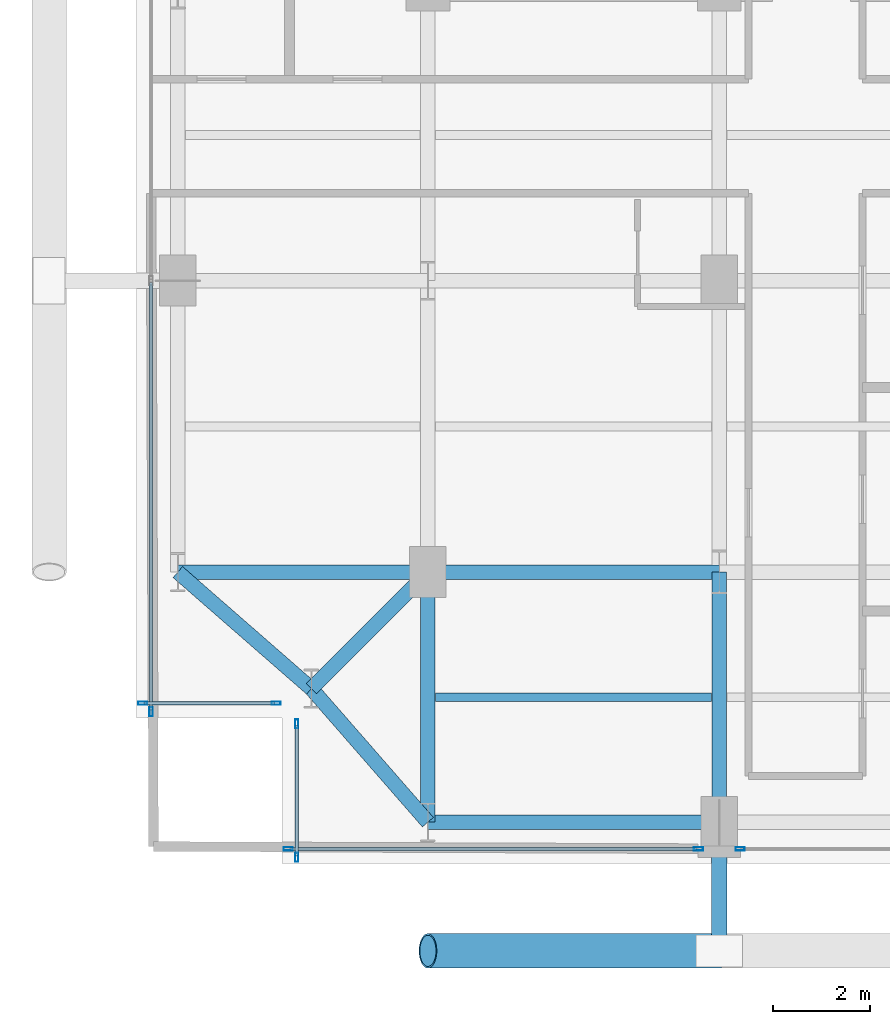
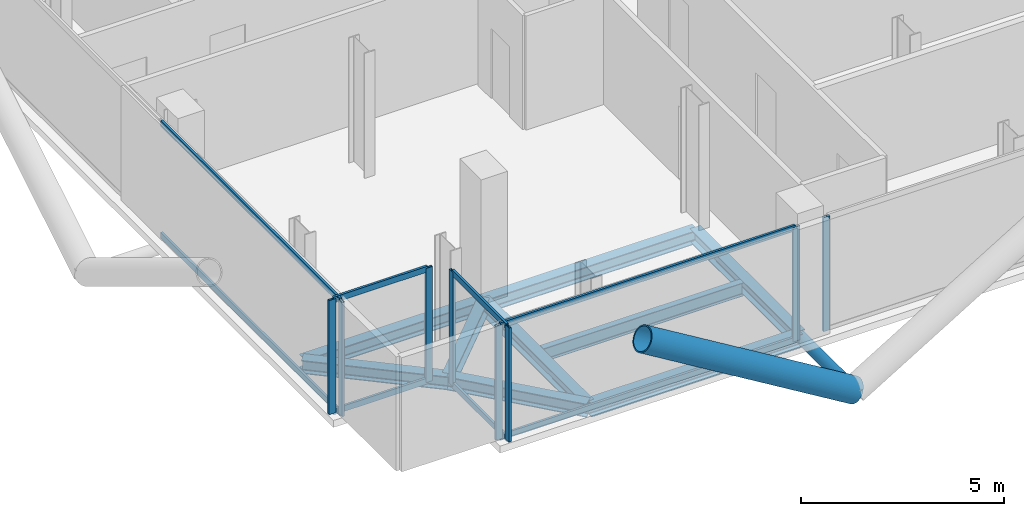
# One storey, part 2 of 25: 18 members, 9 beams, 5 elements without a shape of their own.
"""IFC4 building model written with IfcOpenShell, lengths in metres."""

from ifc_helpers import new_model, si_unit, direction, frame, origin, origin_2d, place, context, subcontext, project, spatial, hollow_rectangle, hollow_circle, i_section, extrude, material, layer, layer_set, material_profile, profile_set, type_object, element, aggregate, save


model = new_model("IFC4")

# Units and contexts
model_context = context("Model", 3, precision=1e-05, world=origin(), true_north=direction((0.0, 1.0)))
body_context = subcontext(model_context, "Body", "Model", "MODEL_VIEW")
ifc_project = project(units=[si_unit("LENGTHUNIT", "METRE"), si_unit("AREAUNIT", "SQUARE_METRE"), si_unit("VOLUMEUNIT", "CUBIC_METRE"), si_unit("PLANEANGLEUNIT", "RADIAN"), si_unit("MASSUNIT", "GRAM", prefix="KILO"), si_unit("THERMODYNAMICTEMPERATUREUNIT", "KELVIN"), si_unit("POWERUNIT", "WATT")], contexts=[model_context])

# Site, building, storey
site_placement = place(None, origin())
site = spatial("IfcSite", under=ifc_project, at=site_placement, CompositionType="ELEMENT")
building_placement = place(site_placement, origin())
building = spatial("IfcBuilding", under=site, at=building_placement, Name="Svarakhadi Broadcast Tower", CompositionType="ELEMENT")
storey_placement = place(building_placement, frame((0.0, 0.0, 231.14990234375)))
storey = spatial("IfcBuildingStorey", under=building, at=storey_placement, Name="L57", CompositionType="ELEMENT", Elevation=231.14990234375)

# Beam
ifc_material_1 = material(Name="Steel S355J2 (IS 2062 E350C)", Category="steel")
ifc_material_profile_1 = material_profile(ifc_material_1, i_section(OverallWidth=0.179931640625, OverallDepth=0.39990234375, WebThickness=0.008544921875, FlangeThickness=0.013427734375, FilletRadius=0.02099609375, at=origin_2d()), Name="NPB 400x180x66")
ifc_profile_set_1 = profile_set([ifc_material_profile_1], Name="Steel S355J2 (IS 2062 E350C)")
beam_type_1 = type_object("IfcBeamType", Name="Beam_NPB400", PredefinedType="BEAM", material=ifc_profile_set_1)
beam_1_placement = place(storey_placement, frame((6.159912109375, 3.425048828125, -0.409912109375), z_axis=(1.0, 0.0, 0.0), x_axis=(0.0, 1.0, 0.0)))
element("IfcBeam", 1, at=beam_1_placement, inside=storey, type_object=beam_type_1, Name="L57 Secondary Composite Beam SB005", PredefinedType="BEAM", context=body_context, shape_type="SweptSolid", body=[
    extrude(i_section(OverallWidth=0.179931640625, OverallDepth=0.39990234375, WebThickness=0.008544921875, FlangeThickness=0.013427734375, FilletRadius=0.02099609375, at=origin_2d()), origin(), (0.0, 0.0, 1.0), 5.68017578125),
])

# Curtain wall, members
ifc_material_2 = material(Name="Anodised Bronze Aluminium AA 6063-T6", Category="aluminium")
ifc_layer = layer(ifc_material_2, 0.18994140625)
ifc_layer_set = layer_set([ifc_layer], Name="Anodised Bronze Aluminium AA 6063-T6")
curtain_wall_type = type_object("IfcCurtainWallType", Name="CW_Sys_04", PredefinedType="NOTDEFINED", material=ifc_layer_set)
curtain_wall_1_placement = place(storey_placement, origin())
curtain_wall_1 = element("IfcCurtainWall", 2, at=curtain_wall_1_placement, inside=storey, type_object=curtain_wall_type, Name="L57 Unitised Facade Curtain Wall 01", PredefinedType="NOTDEFINED")
ifc_material_profile_2 = material_profile(ifc_material_2, hollow_rectangle(XDim=0.070068359375, YDim=0.18994140625, WallThickness=0.005615234375, at=origin_2d()), Name="ALU MULLION 190x70x6")
ifc_profile_set_2 = profile_set([ifc_material_profile_2], Name="Anodised Bronze Aluminium AA 6063-T6")
member_type_1 = type_object("IfcMemberType", Name="CW_Sys_04_Mul", PredefinedType="MULLION", material=ifc_profile_set_2)
member_1_placement = place(storey_placement, frame((2.875, 3.300048828125, 0.0), z_axis=(0.0, 0.0, 1.0), x_axis=(0.0, -1.0, 0.0)))
member_1 = element("IfcMember", 3, at=member_1_placement, type_object=member_type_1, Name="CW-04 mullion 1", PredefinedType="MULLION", context=body_context, shape_type="SweptSolid", body=[
    extrude(hollow_rectangle(XDim=0.070068359375, YDim=0.18994140625, WallThickness=0.005615234375, at=origin_2d()), origin(), (0.0, 0.0, 1.0), 3.425048828125),
])
member_2_placement = place(storey_placement, frame((0.125, 3.300048828125, 0.0), z_axis=(0.0, 0.0, 1.0), x_axis=(0.0, -1.0, 0.0)))
member_2 = element("IfcMember", 4, at=member_2_placement, type_object=member_type_1, Name="CW-04 mullion 2", PredefinedType="MULLION", context=body_context, shape_type="SweptSolid", body=[
    extrude(hollow_rectangle(XDim=0.070068359375, YDim=0.18994140625, WallThickness=0.005615234375, at=origin_2d()), origin(), (0.0, 0.0, 1.0), 3.425048828125),
])

# Curtain wall, member
curtain_wall_2_placement = place(storey_placement, origin())
curtain_wall_2 = element("IfcCurtainWall", 5, at=curtain_wall_2_placement, inside=storey, type_object=curtain_wall_type, Name="L57 West Curtain Wall 02", PredefinedType="NOTDEFINED")
member_3_placement = place(storey_placement, frame((0.300048828125, 3.125, 0.0), z_axis=(0.0, 0.0, 1.0), x_axis=(-1.0, 0.0, 0.0)))
member_3 = element("IfcMember", 6, at=member_3_placement, type_object=member_type_1, Name="CW-04 mullion 1", PredefinedType="MULLION", context=body_context, shape_type="SweptSolid", body=[
    extrude(hollow_rectangle(XDim=0.070068359375, YDim=0.18994140625, WallThickness=0.005615234375, at=origin_2d()), origin(), (0.0, 0.0, 1.0), 3.425048828125),
])

curtain_wall_3_placement = place(storey_placement, origin())
curtain_wall_3 = element("IfcCurtainWall", 7, at=curtain_wall_3_placement, inside=storey, type_object=curtain_wall_type, Name="L57 South Curtain Wall 17 Bay 2", PredefinedType="NOTDEFINED")
member_4_placement = place(storey_placement, frame((12.429931640625, 0.300048828125, 0.0), z_axis=(0.0, 0.0, 1.0), x_axis=(0.0, -1.0, 0.0)))
member_4 = element("IfcMember", 8, at=member_4_placement, type_object=member_type_1, Name="CW-04 mullion 2", PredefinedType="MULLION", context=body_context, shape_type="SweptSolid", body=[
    extrude(hollow_rectangle(XDim=0.070068359375, YDim=0.18994140625, WallThickness=0.005615234375, at=origin_2d()), origin(), (0.0, 0.0, 1.0), 3.425048828125),
])
aggregate(curtain_wall_3, [member_4])

# Curtain wall, members
curtain_wall_4_placement = place(storey_placement, origin())
curtain_wall_4 = element("IfcCurtainWall", 9, at=curtain_wall_4_placement, inside=storey, type_object=curtain_wall_type, Name="L57 South Curtain Wall 17 Bay 3", PredefinedType="NOTDEFINED")
member_5_placement = place(storey_placement, frame((11.570068359375, 0.300048828125, 0.0), z_axis=(0.0, 0.0, 1.0), x_axis=(0.0, -1.0, 0.0)))
member_5 = element("IfcMember", 10, at=member_5_placement, type_object=member_type_1, Name="CW-04 mullion 1", PredefinedType="MULLION", context=body_context, shape_type="SweptSolid", body=[
    extrude(hollow_rectangle(XDim=0.070068359375, YDim=0.18994140625, WallThickness=0.005615234375, at=origin_2d()), origin(), (0.0, 0.0, 1.0), 3.425048828125),
])
member_6_placement = place(storey_placement, frame((3.125, 0.300048828125, 0.0), z_axis=(0.0, 0.0, 1.0), x_axis=(0.0, -1.0, 0.0)))
member_6 = element("IfcMember", 11, at=member_6_placement, type_object=member_type_1, Name="CW-04 mullion 2", PredefinedType="MULLION", context=body_context, shape_type="SweptSolid", body=[
    extrude(hollow_rectangle(XDim=0.070068359375, YDim=0.18994140625, WallThickness=0.005615234375, at=origin_2d()), origin(), (0.0, 0.0, 1.0), 3.425048828125),
])

curtain_wall_5_placement = place(storey_placement, origin())
curtain_wall_5 = element("IfcCurtainWall", 12, at=curtain_wall_5_placement, inside=storey, type_object=curtain_wall_type, Name="L57 Unitised Facade Curtain Wall 18", PredefinedType="NOTDEFINED")
member_7_placement = place(storey_placement, frame((3.300048828125, 0.125, 0.0), z_axis=(0.0, 0.0, 1.0), x_axis=(-1.0, 0.0, 0.0)))
member_7 = element("IfcMember", 13, at=member_7_placement, type_object=member_type_1, Name="CW-04 mullion 1", PredefinedType="MULLION", context=body_context, shape_type="SweptSolid", body=[
    extrude(hollow_rectangle(XDim=0.070068359375, YDim=0.18994140625, WallThickness=0.005615234375, at=origin_2d()), origin(), (0.0, 0.0, 1.0), 3.425048828125),
])
member_8_placement = place(storey_placement, frame((3.300048828125, 2.875, 0.0), z_axis=(0.0, 0.0, 1.0), x_axis=(-1.0, 0.0, 0.0)))
member_8 = element("IfcMember", 14, at=member_8_placement, type_object=member_type_1, Name="CW-04 mullion 2", PredefinedType="MULLION", context=body_context, shape_type="SweptSolid", body=[
    extrude(hollow_rectangle(XDim=0.070068359375, YDim=0.18994140625, WallThickness=0.005615234375, at=origin_2d()), origin(), (0.0, 0.0, 1.0), 3.425048828125),
])

# Member
ifc_material_profile_3 = material_profile(ifc_material_2, hollow_rectangle(XDim=0.06494140625, YDim=0.175048828125, WallThickness=0.0048828125, at=origin_2d()), Name="ALU TRANSOM 175x65x5")
ifc_profile_set_3 = profile_set([ifc_material_profile_3], Name="Anodised Bronze Aluminium AA 6063-T6")
member_type_2 = type_object("IfcMemberType", Name="CW_Sys_04_Trn", PredefinedType="USERDEFINED", material=ifc_profile_set_3)
member_9_placement = place(storey_placement, frame((2.840087890625, 3.300048828125, 0.03271484375), z_axis=(-1.0, 0.0, 0.0), x_axis=(0.0, -1.0, 0.0)))
member_9 = element("IfcMember", 15, at=member_9_placement, type_object=member_type_2, Name="CW-04 transom 1.1", ObjectType="TRANSOM", PredefinedType="USERDEFINED", context=body_context, shape_type="SweptSolid", body=[
    extrude(hollow_rectangle(XDim=0.06494140625, YDim=0.175048828125, WallThickness=0.0048828125, at=origin_2d()), origin(), (0.0, 0.0, 1.0), 2.68017578125),
])

member_10_placement = place(storey_placement, frame((2.840087890625, 3.300048828125, 3.392578125), z_axis=(-1.0, 0.0, 0.0), x_axis=(0.0, -1.0, 0.0)))
member_10 = element("IfcMember", 16, at=member_10_placement, type_object=member_type_2, Name="CW-04 transom 1.2", ObjectType="TRANSOM", PredefinedType="USERDEFINED", context=body_context, shape_type="SweptSolid", body=[
    extrude(hollow_rectangle(XDim=0.06494140625, YDim=0.175048828125, WallThickness=0.0048828125, at=origin_2d()), origin(), (0.0, 0.0, 1.0), 2.68017578125),
])

aggregate(curtain_wall_1, [member_1, member_2, member_9, member_10])

member_11_placement = place(storey_placement, frame((0.300048828125, 3.159912109375, 0.03271484375), z_axis=(0.0, 1.0, 0.0), x_axis=(-1.0, 0.0, 0.0)))
member_11 = element("IfcMember", 17, at=member_11_placement, type_object=member_type_2, Name="CW-04 transom 1.1", ObjectType="TRANSOM", PredefinedType="USERDEFINED", context=body_context, shape_type="SweptSolid", body=[
    extrude(hollow_rectangle(XDim=0.06494140625, YDim=0.175048828125, WallThickness=0.0048828125, at=origin_2d()), origin(), (0.0, 0.0, 1.0), 8.80517578125),
])

member_12_placement = place(storey_placement, frame((0.300048828125, 3.159912109375, 3.392578125), z_axis=(0.0, 1.0, 0.0), x_axis=(-1.0, 0.0, 0.0)))
member_12 = element("IfcMember", 18, at=member_12_placement, type_object=member_type_2, Name="CW-04 transom 1.2", ObjectType="TRANSOM", PredefinedType="USERDEFINED", context=body_context, shape_type="SweptSolid", body=[
    extrude(hollow_rectangle(XDim=0.06494140625, YDim=0.175048828125, WallThickness=0.0048828125, at=origin_2d()), origin(), (0.0, 0.0, 1.0), 8.80517578125),
])

aggregate(curtain_wall_2, [member_3, member_11, member_12])

member_13_placement = place(storey_placement, frame((11.534912109375, 0.300048828125, 0.03271484375), z_axis=(-1.0, 0.0, 0.0), x_axis=(0.0, -1.0, 0.0)))
member_13 = element("IfcMember", 19, at=member_13_placement, type_object=member_type_2, Name="CW-04 transom 1.1", ObjectType="TRANSOM", PredefinedType="USERDEFINED", context=body_context, shape_type="SweptSolid", body=[
    extrude(hollow_rectangle(XDim=0.06494140625, YDim=0.175048828125, WallThickness=0.0048828125, at=origin_2d()), origin(), (0.0, 0.0, 1.0), 8.375),
])

member_14_placement = place(storey_placement, frame((11.534912109375, 0.300048828125, 3.392578125), z_axis=(-1.0, 0.0, 0.0), x_axis=(0.0, -1.0, 0.0)))
member_14 = element("IfcMember", 20, at=member_14_placement, type_object=member_type_2, Name="CW-04 transom 1.2", ObjectType="TRANSOM", PredefinedType="USERDEFINED", context=body_context, shape_type="SweptSolid", body=[
    extrude(hollow_rectangle(XDim=0.06494140625, YDim=0.175048828125, WallThickness=0.0048828125, at=origin_2d()), origin(), (0.0, 0.0, 1.0), 8.375),
])

aggregate(curtain_wall_4, [member_5, member_6, member_13, member_14])

member_15_placement = place(storey_placement, frame((3.300048828125, 0.159912109375, 0.03271484375), z_axis=(0.0, 1.0, 0.0), x_axis=(-1.0, 0.0, 0.0)))
member_15 = element("IfcMember", 21, at=member_15_placement, type_object=member_type_2, Name="CW-04 transom 1.1", ObjectType="TRANSOM", PredefinedType="USERDEFINED", context=body_context, shape_type="SweptSolid", body=[
    extrude(hollow_rectangle(XDim=0.06494140625, YDim=0.175048828125, WallThickness=0.0048828125, at=origin_2d()), origin(), (0.0, 0.0, 1.0), 2.68017578125),
])

member_16_placement = place(storey_placement, frame((3.300048828125, 0.159912109375, 3.392578125), z_axis=(0.0, 1.0, 0.0), x_axis=(-1.0, 0.0, 0.0)))
member_16 = element("IfcMember", 22, at=member_16_placement, type_object=member_type_2, Name="CW-04 transom 1.2", ObjectType="TRANSOM", PredefinedType="USERDEFINED", context=body_context, shape_type="SweptSolid", body=[
    extrude(hollow_rectangle(XDim=0.06494140625, YDim=0.175048828125, WallThickness=0.0048828125, at=origin_2d()), origin(), (0.0, 0.0, 1.0), 2.68017578125),
])

aggregate(curtain_wall_5, [member_7, member_8, member_15, member_16])

# Members
ifc_material_3 = material(Name="Steel S460ML (IS 2062 E450BR)", Category="steel")
ifc_material_profile_4 = material_profile(ifc_material_3, hollow_circle(Radius=0.35546875, WallThickness=0.034912109375, at=origin_2d()), Name="CHS 711x35")
ifc_profile_set_4 = profile_set([ifc_material_profile_4], Name="Steel S460ML (IS 2062 E450BR)")
member_type_3 = type_object("IfcMemberType", Name="Exo_Brace_CHS711", PredefinedType="BRACE", material=ifc_profile_set_4)
member_17_placement = place(storey_placement, frame((12.0, -1.800048828125, -0.371826171875), z_axis=(-0.855283363051, 0.0, 0.518160562845), x_axis=(0.0, -1.0, 0.0)))
element("IfcMember", 23, at=member_17_placement, inside=storey, type_object=member_type_3, Name="L57 Exposed Bronze Exoskeleton Diagonal S01", PredefinedType="BRACE", context=body_context, shape_type="SweptSolid", body=[
    extrude(hollow_circle(Radius=0.35546875, WallThickness=0.034912109375, at=origin_2d()), origin(), (0.0, 0.0, 1.0), 7.01513671875),
])
ifc_material_profile_5 = material_profile(ifc_material_3, hollow_circle(Radius=0.161865234375, WallThickness=0.01611328125, at=origin_2d()), Name="CHS 323.9x16")
ifc_profile_set_5 = profile_set([ifc_material_profile_5], Name="Steel S460ML (IS 2062 E450BR)")
member_type_4 = type_object("IfcMemberType", Name="Exo_Radial_Strut_Z2", PredefinedType="STRUT", material=ifc_profile_set_5)
member_18_placement = place(storey_placement, frame((12.0, -1.800048828125, -0.371826171875), z_axis=(0.0, 1.0, 0.0), x_axis=(-1.0, 0.0, 0.0)))
element("IfcMember", 24, at=member_18_placement, inside=storey, type_object=member_type_4, Name="L57 Exoskeleton Radial Tie Strut S01", PredefinedType="STRUT", context=body_context, shape_type="SweptSolid", body=[
    extrude(hollow_circle(Radius=0.161865234375, WallThickness=0.01611328125, at=origin_2d()), origin(), (0.0, 0.0, 1.0), 2.650146484375),
])

# Beams
ifc_material_profile_6 = material_profile(ifc_material_1, i_section(OverallWidth=0.300048828125, OverallDepth=0.39990234375, WebThickness=0.013427734375, FlangeThickness=0.02392578125, FilletRadius=0.027099609375, at=origin_2d()), Name="WPB 400x300x155")
ifc_profile_set_6 = profile_set([ifc_material_profile_6], Name="Steel S355J2 (IS 2062 E350C)")
beam_type_2 = type_object("IfcBeamType", Name="Girder_WPB400", PredefinedType="USERDEFINED", material=ifc_profile_set_6)
beam_2_placement = place(storey_placement, frame((3.60009765625, 3.60009765625, -0.409912109375), z_axis=(0.707106781187, 0.707106781187, 0.0), x_axis=(-0.707106781187, 0.707106781187, 0.0)))
element("IfcBeam", 25, at=beam_2_placement, inside=storey, type_object=beam_type_2, Name="L57 Corner Tie Girder G001", ObjectType="GIRDER", PredefinedType="USERDEFINED", context=body_context, shape_type="SweptSolid", body=[
    extrude(i_section(OverallWidth=0.300048828125, OverallDepth=0.39990234375, WebThickness=0.013427734375, FlangeThickness=0.02392578125, FilletRadius=0.027099609375, at=origin_2d()), origin(), (0.0, 0.0, 1.0), 3.39404296875),
])
for number, where, z_axis, x_axis, name in (
    (26, (3.60009765625, 3.60009765625, -0.409912109375), (-0.753437912176, 0.657519058655, 0.0), (-0.657519058655, -0.753437912176, 0.0), "L57 Corner Tie Girder G002"),
    (27, (3.60009765625, 3.60009765625, -0.409912109375), (0.657519058655, -0.753437912176, 0.0), (0.753437912176, 0.657519058655, 0.0), "L57 Corner Tie Girder G003"),
):
    element("IfcBeam", number, at=place(storey_placement, frame(where, z_axis=z_axis, x_axis=x_axis)), inside=storey, type_object=beam_type_2, Name=name, ObjectType="GIRDER", PredefinedType="USERDEFINED", context=body_context, shape_type="SweptSolid", body=[
        extrude(i_section(OverallWidth=0.300048828125, OverallDepth=0.39990234375, WebThickness=0.013427734375, FlangeThickness=0.02392578125, FilletRadius=0.027099609375, at=origin_2d()), origin(), (0.0, 0.0, 1.0), 3.64990234375),
    ])
beam_3_placement = place(storey_placement, frame((6.0, 0.85009765625, -0.409912109375), z_axis=(1.0, 0.0, 0.0), x_axis=(0.0, 1.0, 0.0)))
element("IfcBeam", 28, at=beam_3_placement, inside=storey, type_object=beam_type_2, Name="L57 Primary E-W Girder G004", ObjectType="GIRDER", PredefinedType="USERDEFINED", context=body_context, shape_type="SweptSolid", body=[
    extrude(i_section(OverallWidth=0.300048828125, OverallDepth=0.39990234375, WebThickness=0.013427734375, FlangeThickness=0.02392578125, FilletRadius=0.027099609375, at=origin_2d()), origin(), (0.0, 0.0, 1.0), 6.0),
])
beam_4_placement = place(storey_placement, frame((0.85009765625, 6.0, -0.409912109375), z_axis=(1.0, 0.0, 0.0), x_axis=(0.0, 1.0, 0.0)))
element("IfcBeam", 29, at=beam_4_placement, inside=storey, type_object=beam_type_2, Name="L57 Primary E-W Girder G009", ObjectType="GIRDER", PredefinedType="USERDEFINED", context=body_context, shape_type="SweptSolid", body=[
    extrude(i_section(OverallWidth=0.300048828125, OverallDepth=0.39990234375, WebThickness=0.013427734375, FlangeThickness=0.02392578125, FilletRadius=0.027099609375, at=origin_2d()), origin(), (0.0, 0.0, 1.0), 5.14990234375),
])
beam_5_placement = place(storey_placement, frame((6.0, 6.0, -0.409912109375), z_axis=(1.0, 0.0, 0.0), x_axis=(0.0, 1.0, 0.0)))
element("IfcBeam", 30, at=beam_5_placement, inside=storey, type_object=beam_type_2, Name="L57 Primary E-W Girder G010", ObjectType="GIRDER", PredefinedType="USERDEFINED", context=body_context, shape_type="SweptSolid", body=[
    extrude(i_section(OverallWidth=0.300048828125, OverallDepth=0.39990234375, WebThickness=0.013427734375, FlangeThickness=0.02392578125, FilletRadius=0.027099609375, at=origin_2d()), origin(), (0.0, 0.0, 1.0), 6.0),
])
for number, where, z_axis, x_axis, name in (
    (31, (6.0, 0.85009765625, -0.409912109375), (0.0, 1.0, 0.0), (-1.0, 0.0, 0.0), "L57 Primary N-S Girder G037"),
    (32, (12.0, 0.85009765625, -0.409912109375), (0.0, 1.0, 0.0), (-1.0, 0.0, 0.0), "L57 Primary N-S Girder G042"),
):
    element("IfcBeam", number, at=place(storey_placement, frame(where, z_axis=z_axis, x_axis=x_axis)), inside=storey, type_object=beam_type_2, Name=name, ObjectType="GIRDER", PredefinedType="USERDEFINED", context=body_context, shape_type="SweptSolid", body=[
        extrude(i_section(OverallWidth=0.300048828125, OverallDepth=0.39990234375, WebThickness=0.013427734375, FlangeThickness=0.02392578125, FilletRadius=0.027099609375, at=origin_2d()), origin(), (0.0, 0.0, 1.0), 5.14990234375),
    ])

save(model, "model.ifc")
